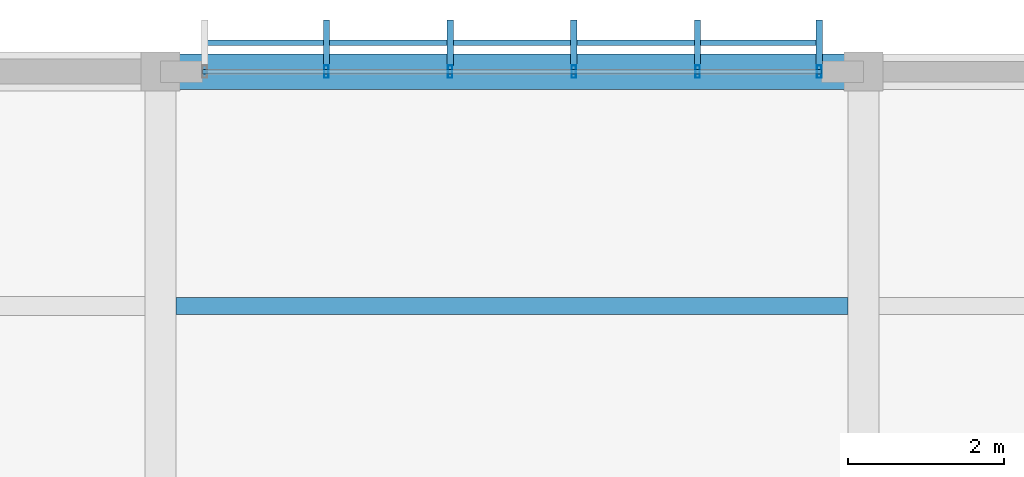
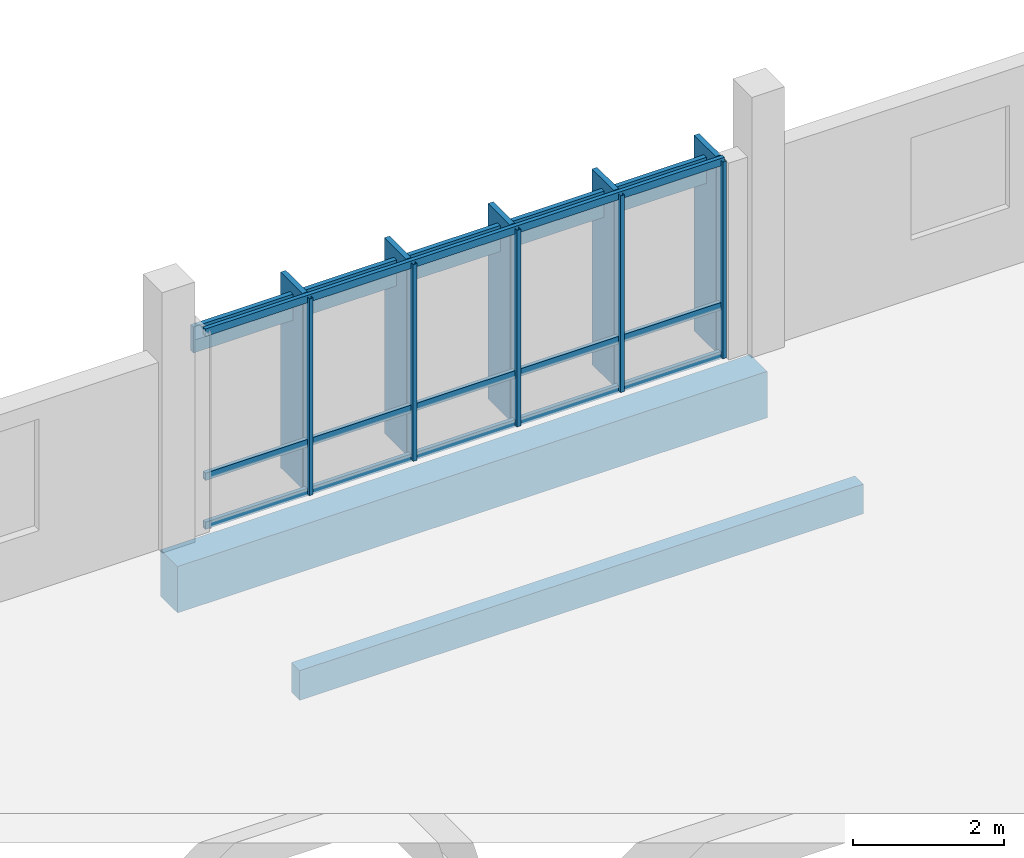
# One storey, part 132 of 182: 14 members, 2 beams, 1 element without a shape of its own.
"""IFC4 building model written with IfcOpenShell, lengths in metres."""

from ifc_helpers import new_model, si_unit, direction, frame, origin, origin_2d, place, context, subcontext, project, spatial, rectangle, hollow_rectangle, extrude, material, material_profile, profile_set, type_object, element, aggregate, save


model = new_model("IFC4")

# Units and contexts
model_context = context("Model", 3, precision=1e-05, world=origin(), true_north=direction((0.0, 1.0)))
body_context = subcontext(model_context, "Body", "Model", "MODEL_VIEW")
ifc_project = project(units=[si_unit("LENGTHUNIT", "METRE"), si_unit("AREAUNIT", "SQUARE_METRE"), si_unit("VOLUMEUNIT", "CUBIC_METRE"), si_unit("PLANEANGLEUNIT", "RADIAN"), si_unit("MASSUNIT", "GRAM", prefix="KILO")], contexts=[model_context])

# Site, building, storey
site_placement = place(None, origin())
site = spatial("IfcSite", under=ifc_project, at=site_placement, CompositionType="ELEMENT")
building_placement = place(site_placement, origin())
building = spatial("IfcBuilding", under=site, at=building_placement, Name="Chiffa Square Polytechnic", CompositionType="ELEMENT")
storey_placement = place(building_placement, frame((0.0, 0.0, 9.60009765625)))
storey = spatial("IfcBuildingStorey", under=building, at=storey_placement, Name="L02", CompositionType="ELEMENT", Elevation=9.60009765625)

# Beam
ifc_material_1 = material(Name="Concrete C35/45", Category="concrete")
ifc_material_profile_1 = material_profile(ifc_material_1, rectangle(XDim=0.449951171875, YDim=0.75, at=origin_2d()), Name="RC 450x750")
ifc_profile_set_1 = profile_set([ifc_material_profile_1], Name="Concrete C35/45")
beam_type_1 = type_object("IfcBeamType", Name="BM-RC-450X750", PredefinedType="BEAM", material=ifc_profile_set_1)
beam_1_placement = place(storey_placement, frame((57.60009765625, 130.800048828125, -0.695068359375), z_axis=(1.0, 0.0, 0.0), x_axis=(0.0, 1.0, 0.0)))
element("IfcBeam", 1, at=beam_1_placement, inside=storey, type_object=beam_type_1, Name="Primary floor girder BM-V5-L02-X-0576-1308", PredefinedType="BEAM", context=body_context, shape_type="SweptSolid", body=[
    extrude(rectangle(XDim=0.449951171875, YDim=0.75, at=origin_2d()), origin(), (0.0, 0.0, 1.0), 9.0),
])

# Curtain wall, members
ifc_material_2 = material(Name="Aluminium EN AW-6060 T66 and glulam shading", Category="wood")
curtain_wall_type = type_object("IfcCurtainWallType", Name="CW-VERT-600X380", PredefinedType="USERDEFINED", material=ifc_material_2)
curtain_wall_placement = place(storey_placement, origin())
curtain_wall = element("IfcCurtainWall", 2, at=curtain_wall_placement, inside=storey, type_object=curtain_wall_type, Name="Curtain wall CW-V5-L02-220", ObjectType="CURTAIN WALL", PredefinedType="USERDEFINED")
ifc_material_3 = material(Name="Aluminium EN AW-6060 T66", Category="aluminium")
ifc_material_profile_2 = material_profile(ifc_material_3, hollow_rectangle(XDim=0.06005859375, YDim=0.159912109375, WallThickness=0.00390625, at=origin_2d()), Name="ALU 60x160x4")
ifc_profile_set_2 = profile_set([ifc_material_profile_2], Name="Aluminium EN AW-6060 T66")
member_type_1 = type_object("IfcMemberType", Name="CWM-ALU-65X150", PredefinedType="MULLION", material=ifc_profile_set_2)
member_1_placement = place(storey_placement, frame((66.034912109375, 130.800048828125, 0.0), z_axis=(0.0, 0.0, 1.0), x_axis=(1.0, 0.0, 0.0)))
member_1 = element("IfcMember", 3, at=member_1_placement, type_object=member_type_1, Name="Curtain wall mullion CW-V5-L02-220-M00", PredefinedType="MULLION", context=body_context, shape_type="SweptSolid", body=[
    extrude(hollow_rectangle(XDim=0.06005859375, YDim=0.159912109375, WallThickness=0.00390625, at=origin_2d()), origin(), (0.0, 0.0, 1.0), 3.1748046875),
])
member_2_placement = place(storey_placement, frame((64.47607421875, 130.800048828125, 0.0), z_axis=(0.0, 0.0, 1.0), x_axis=(1.0, 0.0, 0.0)))
member_2 = element("IfcMember", 4, at=member_2_placement, type_object=member_type_1, Name="Curtain wall mullion CW-V5-L02-220-M01", PredefinedType="MULLION", context=body_context, shape_type="SweptSolid", body=[
    extrude(hollow_rectangle(XDim=0.06005859375, YDim=0.159912109375, WallThickness=0.00390625, at=origin_2d()), origin(), (0.0, 0.0, 1.0), 3.1748046875),
])
member_3_placement = place(storey_placement, frame((62.89208984375, 130.800048828125, 0.0), z_axis=(0.0, 0.0, 1.0), x_axis=(1.0, 0.0, 0.0)))
member_3 = element("IfcMember", 5, at=member_3_placement, type_object=member_type_1, Name="Curtain wall mullion CW-V5-L02-220-M02", PredefinedType="MULLION", context=body_context, shape_type="SweptSolid", body=[
    extrude(hollow_rectangle(XDim=0.06005859375, YDim=0.159912109375, WallThickness=0.00390625, at=origin_2d()), origin(), (0.0, 0.0, 1.0), 3.1748046875),
])
member_4_placement = place(storey_placement, frame((61.30810546875, 130.800048828125, 0.0), z_axis=(0.0, 0.0, 1.0), x_axis=(1.0, 0.0, 0.0)))
member_4 = element("IfcMember", 6, at=member_4_placement, type_object=member_type_1, Name="Curtain wall mullion CW-V5-L02-220-M03", PredefinedType="MULLION", context=body_context, shape_type="SweptSolid", body=[
    extrude(hollow_rectangle(XDim=0.06005859375, YDim=0.159912109375, WallThickness=0.00390625, at=origin_2d()), origin(), (0.0, 0.0, 1.0), 3.1748046875),
])
member_5_placement = place(storey_placement, frame((59.72412109375, 130.800048828125, 0.0), z_axis=(0.0, 0.0, 1.0), x_axis=(1.0, 0.0, 0.0)))
member_5 = element("IfcMember", 7, at=member_5_placement, type_object=member_type_1, Name="Curtain wall mullion CW-V5-L02-220-M04", PredefinedType="MULLION", context=body_context, shape_type="SweptSolid", body=[
    extrude(hollow_rectangle(XDim=0.06005859375, YDim=0.159912109375, WallThickness=0.00390625, at=origin_2d()), origin(), (0.0, 0.0, 1.0), 3.1748046875),
])
ifc_material_4 = material(Name="Glulam GL28h", Category="wood")
ifc_material_profile_3 = material_profile(ifc_material_4, rectangle(XDim=0.080078125, YDim=0.580078125, at=origin_2d()), Name="GL28h 80x580")
ifc_profile_set_3 = profile_set([ifc_material_profile_3], Name="Glulam GL28h")
member_type_2 = type_object("IfcMemberType", Name="CWM-GL-80X580", PredefinedType="MULLION", material=ifc_profile_set_3)
member_6_placement = place(storey_placement, frame((66.034912109375, 131.172119140625, 0.010009765625), z_axis=(0.0, 0.0, 1.0), x_axis=(-1.0, 0.0, 0.0)))
member_6 = element("IfcMember", 8, at=member_6_placement, type_object=member_type_2, Name="Exterior glulam solar fin CW-V5-L02-220-FN00", PredefinedType="MULLION", context=body_context, shape_type="SweptSolid", body=[
    extrude(rectangle(XDim=0.080078125, YDim=0.580078125, at=origin_2d()), origin(), (0.0, 0.0, 1.0), 3.15478515625),
])
member_7_placement = place(storey_placement, frame((64.47607421875, 131.172119140625, 0.010009765625), z_axis=(0.0, 0.0, 1.0), x_axis=(-1.0, 0.0, 0.0)))
member_7 = element("IfcMember", 9, at=member_7_placement, type_object=member_type_2, Name="Exterior glulam solar fin CW-V5-L02-220-FN01", PredefinedType="MULLION", context=body_context, shape_type="SweptSolid", body=[
    extrude(rectangle(XDim=0.080078125, YDim=0.580078125, at=origin_2d()), origin(), (0.0, 0.0, 1.0), 3.15478515625),
])
member_8_placement = place(storey_placement, frame((62.89208984375, 131.172119140625, 0.010009765625), z_axis=(0.0, 0.0, 1.0), x_axis=(-1.0, 0.0, 0.0)))
member_8 = element("IfcMember", 10, at=member_8_placement, type_object=member_type_2, Name="Exterior glulam solar fin CW-V5-L02-220-FN02", PredefinedType="MULLION", context=body_context, shape_type="SweptSolid", body=[
    extrude(rectangle(XDim=0.080078125, YDim=0.580078125, at=origin_2d()), origin(), (0.0, 0.0, 1.0), 3.15478515625),
])
member_9_placement = place(storey_placement, frame((61.30810546875, 131.172119140625, 0.010009765625), z_axis=(0.0, 0.0, 1.0), x_axis=(-1.0, 0.0, 0.0)))
member_9 = element("IfcMember", 11, at=member_9_placement, type_object=member_type_2, Name="Exterior glulam solar fin CW-V5-L02-220-FN03", PredefinedType="MULLION", context=body_context, shape_type="SweptSolid", body=[
    extrude(rectangle(XDim=0.080078125, YDim=0.580078125, at=origin_2d()), origin(), (0.0, 0.0, 1.0), 3.15478515625),
])
member_10_placement = place(storey_placement, frame((59.72412109375, 131.172119140625, 0.010009765625), z_axis=(0.0, 0.0, 1.0), x_axis=(-1.0, 0.0, 0.0)))
member_10 = element("IfcMember", 12, at=member_10_placement, type_object=member_type_2, Name="Exterior glulam solar fin CW-V5-L02-220-FN04", PredefinedType="MULLION", context=body_context, shape_type="SweptSolid", body=[
    extrude(rectangle(XDim=0.080078125, YDim=0.580078125, at=origin_2d()), origin(), (0.0, 0.0, 1.0), 3.15478515625),
])
ifc_material_profile_4 = material_profile(ifc_material_3, hollow_rectangle(XDim=0.06005859375, YDim=0.1201171875, WallThickness=0.00390625, at=origin_2d()), Name="ALU 60x120x4")
ifc_profile_set_4 = profile_set([ifc_material_profile_4], Name="Aluminium EN AW-6060 T66")
member_type_3 = type_object("IfcMemberType", Name="CWT-ALU-65X120", PredefinedType="USERDEFINED", material=ifc_profile_set_4)
member_11_placement = place(storey_placement, frame((66.06201171875, 130.800048828125, 0.02978515625), z_axis=(-1.0, 0.0, 0.0), x_axis=(0.0, -1.0, 0.0)))
member_11 = element("IfcMember", 13, at=member_11_placement, type_object=member_type_3, Name="Curtain wall transom CW-V5-L02-220-T01", ObjectType="TRANSOM", PredefinedType="USERDEFINED", context=body_context, shape_type="SweptSolid", body=[
    extrude(hollow_rectangle(XDim=0.06005859375, YDim=0.1201171875, WallThickness=0.00390625, at=origin_2d()), origin(), (0.0, 0.0, 1.0), 7.924072265625),
])
member_12_placement = place(storey_placement, frame((66.06201171875, 130.800048828125, 0.81982421875), z_axis=(-1.0, 0.0, 0.0), x_axis=(0.0, -1.0, 0.0)))
member_12 = element("IfcMember", 14, at=member_12_placement, type_object=member_type_3, Name="Curtain wall transom CW-V5-L02-220-T02", ObjectType="TRANSOM", PredefinedType="USERDEFINED", context=body_context, shape_type="SweptSolid", body=[
    extrude(hollow_rectangle(XDim=0.06005859375, YDim=0.1201171875, WallThickness=0.00390625, at=origin_2d()), origin(), (0.0, 0.0, 1.0), 7.924072265625),
])
member_13_placement = place(storey_placement, frame((66.06201171875, 130.800048828125, 3.14501953125), z_axis=(-1.0, 0.0, 0.0), x_axis=(0.0, -1.0, 0.0)))
member_13 = element("IfcMember", 15, at=member_13_placement, type_object=member_type_3, Name="Curtain wall transom CW-V5-L02-220-T03", ObjectType="TRANSOM", PredefinedType="USERDEFINED", context=body_context, shape_type="SweptSolid", body=[
    extrude(hollow_rectangle(XDim=0.06005859375, YDim=0.1201171875, WallThickness=0.00390625, at=origin_2d()), origin(), (0.0, 0.0, 1.0), 7.924072265625),
])
ifc_material_profile_5 = material_profile(ifc_material_4, rectangle(XDim=0.070068359375, YDim=0.419921875, at=origin_2d()), Name="GL28h 70x420")
ifc_profile_set_5 = profile_set([ifc_material_profile_5], Name="Glulam GL28h")
member_type_4 = type_object("IfcMemberType", Name="CWT-GL-70X420", PredefinedType="USERDEFINED", material=ifc_profile_set_5)
member_14_placement = place(storey_placement, frame((66.034912109375, 131.172119140625, 2.794921875), z_axis=(-1.0, 0.0, 0.0), x_axis=(0.0, -1.0, 0.0)))
member_14 = element("IfcMember", 16, at=member_14_placement, type_object=member_type_4, Name="Exterior glulam brise-soleil CW-V5-L02-220-BS01", ObjectType="TRANSOM", PredefinedType="USERDEFINED", context=body_context, shape_type="SweptSolid", body=[
    extrude(rectangle(XDim=0.070068359375, YDim=0.419921875, at=origin_2d()), origin(), (0.0, 0.0, 1.0), 7.869873046875),
])
aggregate(curtain_wall, [member_1, member_6, member_2, member_7, member_3, member_8, member_4, member_9, member_5, member_10, member_11, member_12, member_13, member_14])

# Beam
ifc_material_profile_6 = material_profile(ifc_material_4, rectangle(XDim=0.219970703125, YDim=0.47998046875, at=origin_2d()), Name="GL28h 220x480")
ifc_profile_set_6 = profile_set([ifc_material_profile_6], Name="Glulam GL28h")
beam_type_2 = type_object("IfcBeamType", Name="JST-GL-220X480", PredefinedType="JOIST", material=ifc_profile_set_6)
beam_2_placement = place(storey_placement, frame((57.798095703125, 127.800048828125, -0.56005859375), z_axis=(1.0, 0.0, 0.0), x_axis=(0.0, 1.0, 0.0)))
element("IfcBeam", 17, at=beam_2_placement, inside=storey, type_object=beam_type_2, Name="Secondary floor joist JST-V5-L02-0576-1278", PredefinedType="JOIST", context=body_context, shape_type="SweptSolid", body=[
    extrude(rectangle(XDim=0.219970703125, YDim=0.47998046875, at=origin_2d()), origin(), (0.0, 0.0, 1.0), 8.60400390625),
])

save(model, "model.ifc")
